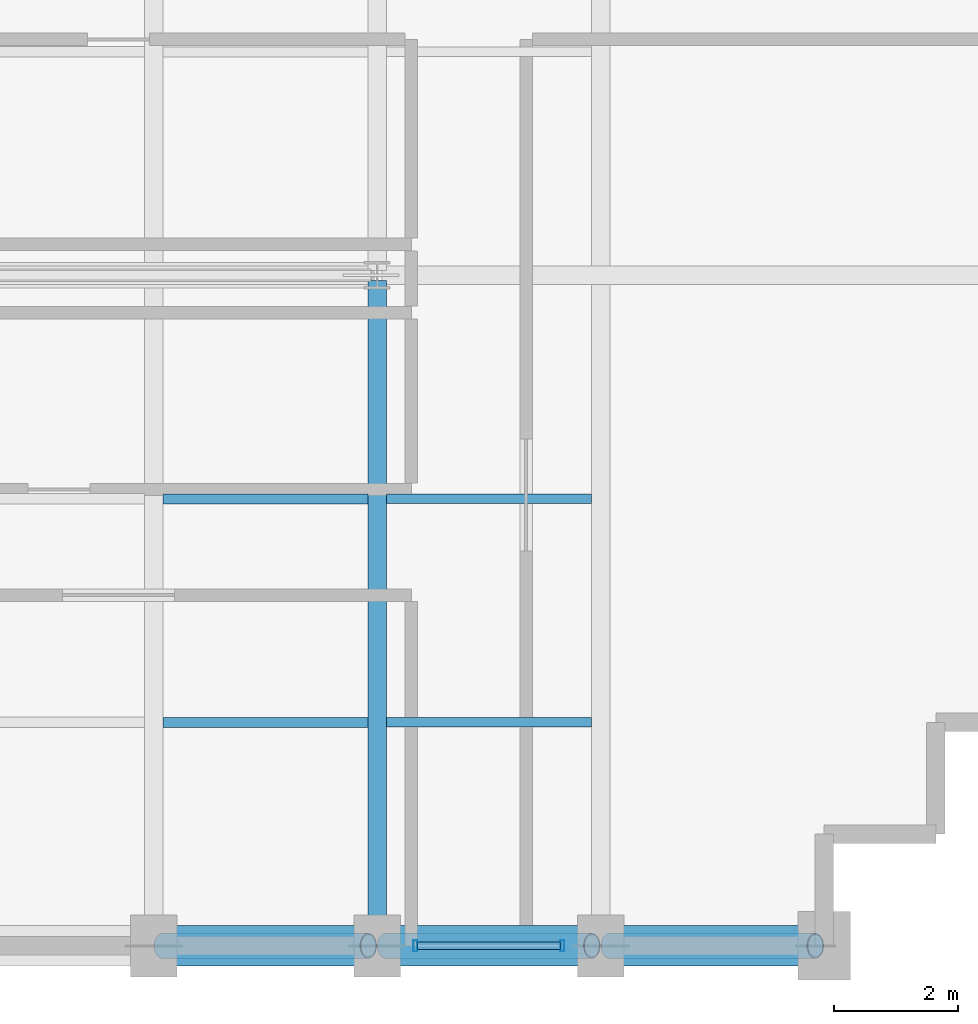
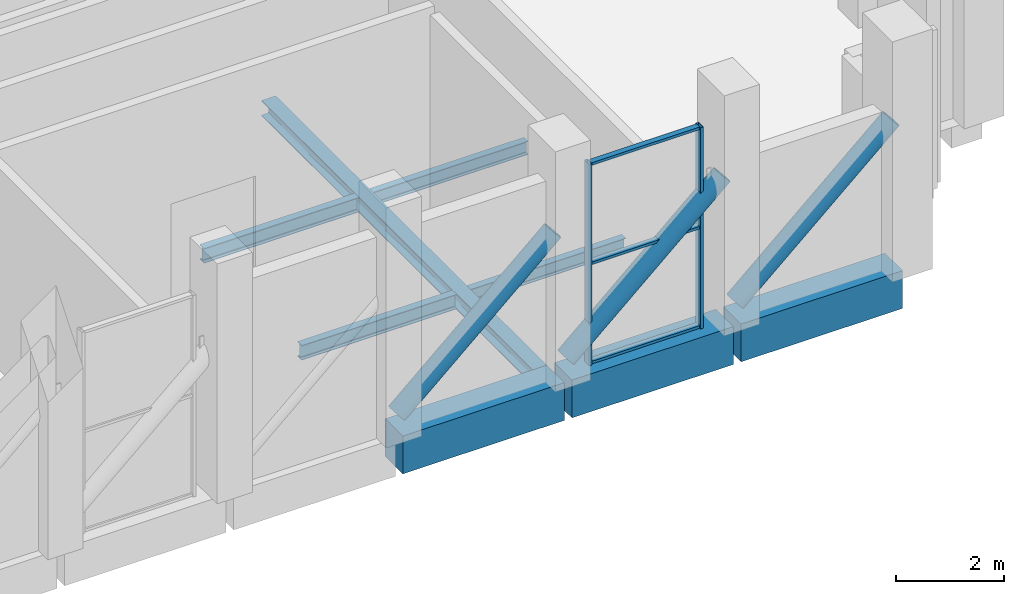
# One storey, part 8 of 19: 8 beams, 8 members, 1 element without a shape of its own.
"""IFC4 building model written with IfcOpenShell, lengths in metres."""

from ifc_helpers import new_model, si_unit, direction, frame, origin, origin_2d, place, context, subcontext, project, spatial, rectangle, hollow_rectangle, hollow_circle, i_section, extrude, material, layer, layer_set, material_profile, profile_set, type_object, element, aggregate, save


model = new_model("IFC4")

# Units and contexts
model_context = context("Model", 3, precision=1e-05, world=origin(), true_north=direction((0.0, 1.0)))
body_context = subcontext(model_context, "Body", "Model", "MODEL_VIEW")
ifc_project = project(units=[si_unit("LENGTHUNIT", "METRE"), si_unit("AREAUNIT", "SQUARE_METRE"), si_unit("VOLUMEUNIT", "CUBIC_METRE"), si_unit("PLANEANGLEUNIT", "RADIAN"), si_unit("MASSUNIT", "GRAM", prefix="KILO")], contexts=[model_context])

# Site, building, storey
site_placement = place(None, origin())
site = spatial("IfcSite", under=ifc_project, at=site_placement, CompositionType="ELEMENT")
building_placement = place(site_placement, origin())
building = spatial("IfcBuilding", under=site, at=building_placement, Name="Solnavia Interchange Tower", CompositionType="ELEMENT")
storey_placement = place(building_placement, frame((0.0, 0.0, 169.39990234375)))
storey = spatial("IfcBuildingStorey", under=building, at=storey_placement, Name="L42", CompositionType="ELEMENT", Elevation=169.39990234375)

# Beams
ifc_material_1 = material(Name="Steel S355", Category="steel")
ifc_material_profile_1 = material_profile(ifc_material_1, i_section(OverallWidth=0.14990234375, OverallDepth=0.300048828125, WebThickness=0.007080078125, FlangeThickness=0.0107421875, FilletRadius=0.014892578125, at=origin_2d()), Name="IPE 300")
ifc_profile_set_1 = profile_set([ifc_material_profile_1], Name="Steel S355")
beam_type_1 = type_object("IfcBeamType", Name="Beam-Joist-IPE300", PredefinedType="JOIST", material=ifc_profile_set_1)
for number, where, z_axis, x_axis, name in (
    (1, (43.35009765625, 7.199951171875, -0.469970703125), (1.0, 0.0, 0.0), (0.0, 1.0, 0.0), "JST-L42-E03 East wing secondary joist"),
    (2, (43.35009765625, 10.800048828125, -0.469970703125), (1.0, 0.0, 0.0), (0.0, 1.0, 0.0), "JST-L42-E06 East wing secondary joist"),
):
    element("IfcBeam", number, at=place(storey_placement, frame(where, z_axis=z_axis, x_axis=x_axis)), inside=storey, type_object=beam_type_1, Name=name, PredefinedType="JOIST", context=body_context, shape_type="SweptSolid", body=[
        extrude(i_section(OverallWidth=0.14990234375, OverallDepth=0.300048828125, WebThickness=0.007080078125, FlangeThickness=0.0107421875, FilletRadius=0.014892578125, at=origin_2d()), origin(), (0.0, 0.0, 1.0), 3.2998046875),
    ])
ifc_material_profile_2 = material_profile(ifc_material_1, i_section(OverallWidth=0.159912109375, OverallDepth=0.330078125, WebThickness=0.007568359375, FlangeThickness=0.011474609375, FilletRadius=0.01806640625, at=origin_2d()), Name="IPE 330")
ifc_profile_set_2 = profile_set([ifc_material_profile_2], Name="Steel S355")
beam_type_2 = type_object("IfcBeamType", Name="Beam-Joist-IPE330", PredefinedType="JOIST", material=ifc_profile_set_2)
for number, where, z_axis, x_axis, name in (
    (3, (39.75, 7.199951171875, -0.48486328125), (1.0, 0.0, 0.0), (0.0, 1.0, 0.0), "JST-L42-E02 East wing secondary joist"),
    (4, (39.75, 10.800048828125, -0.48486328125), (1.0, 0.0, 0.0), (0.0, 1.0, 0.0), "JST-L42-E05 East wing secondary joist"),
):
    element("IfcBeam", number, at=place(storey_placement, frame(where, z_axis=z_axis, x_axis=x_axis)), inside=storey, type_object=beam_type_2, Name=name, PredefinedType="JOIST", context=body_context, shape_type="SweptSolid", body=[
        extrude(i_section(OverallWidth=0.159912109375, OverallDepth=0.330078125, WebThickness=0.007568359375, FlangeThickness=0.011474609375, FilletRadius=0.01806640625, at=origin_2d()), origin(), (0.0, 0.0, 1.0), 3.300048828125),
    ])
ifc_material_profile_3 = material_profile(ifc_material_1, i_section(OverallWidth=0.300048828125, OverallDepth=0.35009765625, WebThickness=0.010009765625, FlangeThickness=0.017578125, FilletRadius=0.027099609375, at=origin_2d()), Name="HEA 360")
ifc_profile_set_3 = profile_set([ifc_material_profile_3], Name="Steel S355")
beam_type_3 = type_object("IfcBeamType", Name="Beam-Primary-HEA360", PredefinedType="BEAM", material=ifc_profile_set_3)
beam_1_placement = place(storey_placement, frame((43.199951171875, 3.679931640625, -0.494873046875), z_axis=(0.0, 1.0, 0.0), x_axis=(-1.0, 0.0, 0.0)))
element("IfcBeam", 5, at=beam_1_placement, inside=storey, type_object=beam_type_3, Name="GRD-L42-EW05 East wing primary floor girder", PredefinedType="BEAM", context=body_context, shape_type="SweptSolid", body=[
    extrude(i_section(OverallWidth=0.300048828125, OverallDepth=0.35009765625, WebThickness=0.010009765625, FlangeThickness=0.017578125, FilletRadius=0.027099609375, at=origin_2d()), origin(), (0.0, 0.0, 1.0), 10.64013671875),
])
ifc_material_2 = material(Name="Concrete C50/60", Category="concrete")
ifc_material_profile_4 = material_profile(ifc_material_2, rectangle(XDim=0.64990234375, YDim=0.85009765625, at=origin_2d()), Name="RC 650x850")
ifc_profile_set_4 = profile_set([ifc_material_profile_4], Name="Concrete C50/60")
beam_type_4 = type_object("IfcBeamType", Name="Beam-Spandrel-RC650x850", PredefinedType="SPANDREL", material=ifc_profile_set_4)
beam_2_placement = place(storey_placement, frame((39.679931640625, 3.60009765625, -0.4248046875), z_axis=(1.0, 0.0, 0.0), x_axis=(0.0, 1.0, 0.0)))
element("IfcBeam", 6, at=beam_2_placement, inside=storey, type_object=beam_type_4, Name="SPB-L42-13 Framed-tube perimeter spandrel beam", PredefinedType="SPANDREL", context=body_context, shape_type="SweptSolid", body=[
    extrude(rectangle(XDim=0.64990234375, YDim=0.85009765625, at=origin_2d()), origin(), (0.0, 0.0, 1.0), 3.440185546875),
])
beam_3_placement = place(storey_placement, frame((43.280029296875, 3.60009765625, -0.4248046875), z_axis=(1.0, 0.0, 0.0), x_axis=(0.0, 1.0, 0.0)))
element("IfcBeam", 7, at=beam_3_placement, inside=storey, type_object=beam_type_4, Name="SPB-L42-14 Framed-tube perimeter spandrel beam", PredefinedType="SPANDREL", context=body_context, shape_type="SweptSolid", body=[
    extrude(rectangle(XDim=0.64990234375, YDim=0.85009765625, at=origin_2d()), origin(), (0.0, 0.0, 1.0), 3.43994140625),
])
beam_4_placement = place(storey_placement, frame((46.8798828125, 3.60009765625, -0.4248046875), z_axis=(1.0, 0.0, 0.0), x_axis=(0.0, 1.0, 0.0)))
element("IfcBeam", 8, at=beam_4_placement, inside=storey, type_object=beam_type_4, Name="SPB-L42-15 Framed-tube perimeter spandrel beam", PredefinedType="SPANDREL", context=body_context, shape_type="SweptSolid", body=[
    extrude(rectangle(XDim=0.64990234375, YDim=0.85009765625, at=origin_2d()), origin(), (0.0, 0.0, 1.0), 3.440185546875),
])

# Curtain wall, members
ifc_material_3 = material(Name="Aluminium Alloy 6063-T6", Category="aluminium")
ifc_layer = layer(ifc_material_3, 0.199951171875)
ifc_layer_set = layer_set([ifc_layer], Name="Aluminium Alloy 6063-T6")
curtain_wall_type = type_object("IfcCurtainWallType", Name="CurtainWall-Louvre-CTW5", PredefinedType="NOTDEFINED", material=ifc_layer_set)
curtain_wall_placement = place(storey_placement, origin())
curtain_wall = element("IfcCurtainWall", 9, at=curtain_wall_placement, inside=storey, type_object=curtain_wall_type, Name="CTW-L42-L06 CTW-5 curtain wall", PredefinedType="NOTDEFINED")
ifc_material_profile_5 = material_profile(ifc_material_3, hollow_rectangle(XDim=0.06494140625, YDim=0.179931640625, WallThickness=0.00439453125, at=origin_2d()), Name="ALU 180x65x4.5")
ifc_profile_set_5 = profile_set([ifc_material_profile_5], Name="Aluminium Alloy 6063-T6")
member_type_1 = type_object("IfcMemberType", Name="CW-Mullion-CWM-5", PredefinedType="MULLION", material=ifc_profile_set_5)
member_1_placement = place(storey_placement, frame((43.81494140625, 3.60009765625, 0.0), z_axis=(0.0, 0.0, 1.0), x_axis=(1.0, 0.0, 0.0)))
member_1 = element("IfcMember", 10, at=member_1_placement, type_object=member_type_1, Name="CTW-5 mullion 1", PredefinedType="MULLION", context=body_context, shape_type="SweptSolid", body=[
    extrude(hollow_rectangle(XDim=0.06494140625, YDim=0.179931640625, WallThickness=0.00439453125, at=origin_2d()), origin(), (0.0, 0.0, 1.0), 4.530029296875),
])
member_2_placement = place(storey_placement, frame((46.18505859375, 3.60009765625, 0.0), z_axis=(0.0, 0.0, 1.0), x_axis=(1.0, 0.0, 0.0)))
member_2 = element("IfcMember", 11, at=member_2_placement, type_object=member_type_1, Name="CTW-5 mullion 2", PredefinedType="MULLION", context=body_context, shape_type="SweptSolid", body=[
    extrude(hollow_rectangle(XDim=0.06494140625, YDim=0.179931640625, WallThickness=0.00439453125, at=origin_2d()), origin(), (0.0, 0.0, 1.0), 4.530029296875),
])
ifc_material_profile_6 = material_profile(ifc_material_3, hollow_rectangle(XDim=0.06005859375, YDim=0.1201171875, WallThickness=0.00390625, at=origin_2d()), Name="ALU 120x60x4")
ifc_profile_set_6 = profile_set([ifc_material_profile_6], Name="Aluminium Alloy 6063-T6")
member_type_2 = type_object("IfcMemberType", Name="CW-Transom-CWT-5", PredefinedType="USERDEFINED", material=ifc_profile_set_6)
member_3_placement = place(storey_placement, frame((43.847412109375, 3.60009765625, 0.030029296875), z_axis=(1.0, 0.0, 0.0), x_axis=(0.0, 0.0, 1.0)))
member_3 = element("IfcMember", 12, at=member_3_placement, type_object=member_type_2, Name="CTW-5 transom 1.1", ObjectType="TRANSOM", PredefinedType="USERDEFINED", context=body_context, shape_type="SweptSolid", body=[
    extrude(hollow_rectangle(XDim=0.06005859375, YDim=0.1201171875, WallThickness=0.00390625, at=origin_2d()), origin(), (0.0, 0.0, 1.0), 2.30517578125),
])
member_4_placement = place(storey_placement, frame((43.847412109375, 3.60009765625, 2.26513671875), z_axis=(1.0, 0.0, 0.0), x_axis=(0.0, 0.0, 1.0)))
member_4 = element("IfcMember", 13, at=member_4_placement, type_object=member_type_2, Name="CTW-5 transom 1.2", ObjectType="TRANSOM", PredefinedType="USERDEFINED", context=body_context, shape_type="SweptSolid", body=[
    extrude(hollow_rectangle(XDim=0.06005859375, YDim=0.1201171875, WallThickness=0.00390625, at=origin_2d()), origin(), (0.0, 0.0, 1.0), 2.30517578125),
])
member_5_placement = place(storey_placement, frame((43.847412109375, 3.60009765625, 4.5), z_axis=(1.0, 0.0, 0.0), x_axis=(0.0, 0.0, 1.0)))
member_5 = element("IfcMember", 14, at=member_5_placement, type_object=member_type_2, Name="CTW-5 transom 1.3", ObjectType="TRANSOM", PredefinedType="USERDEFINED", context=body_context, shape_type="SweptSolid", body=[
    extrude(hollow_rectangle(XDim=0.06005859375, YDim=0.1201171875, WallThickness=0.00390625, at=origin_2d()), origin(), (0.0, 0.0, 1.0), 2.30517578125),
])
aggregate(curtain_wall, [member_1, member_2, member_3, member_4, member_5])

# Members
ifc_material_4 = material(Name="Steel S460", Category="steel")
ifc_material_profile_7 = material_profile(ifc_material_4, hollow_circle(Radius=0.203125, WallThickness=0.02001953125, at=origin_2d()), Name="CHS 406.4x20")
ifc_profile_set_7 = profile_set([ifc_material_profile_7], Name="Steel S460")
member_type_3 = type_object("IfcMemberType", Name="Outrigger-Diag-CHS406", PredefinedType="BRACE", material=ifc_profile_set_7)
member_6_placement = place(storey_placement, frame((39.739990234375, 3.60009765625, 0.300048828125), z_axis=(0.747545781752, 0.0, 0.664210286118), x_axis=(0.0, 1.0, 0.0)))
element("IfcMember", 15, at=member_6_placement, inside=storey, type_object=member_type_3, Name="OTR-L42-BT04 Belt truss diagonal", PredefinedType="BRACE", context=body_context, shape_type="SweptSolid", body=[
    extrude(hollow_circle(Radius=0.203125, WallThickness=0.02001953125, at=origin_2d()), origin(), (0.0, 0.0, 1.0), 4.44140625),
])
member_7_placement = place(storey_placement, frame((43.340087890625, 3.60009765625, 0.300048828125), z_axis=(0.747521528567, 0.0, 0.664237581238), x_axis=(0.0, 1.0, 0.0)))
element("IfcMember", 16, at=member_7_placement, inside=storey, type_object=member_type_3, Name="OTR-L42-BT05 Belt truss diagonal", PredefinedType="BRACE", context=body_context, shape_type="SweptSolid", body=[
    extrude(hollow_circle(Radius=0.203125, WallThickness=0.02001953125, at=origin_2d()), origin(), (0.0, 0.0, 1.0), 4.441162109375),
])
member_8_placement = place(storey_placement, frame((46.93994140625, 3.60009765625, 0.300048828125), z_axis=(0.747545781752, 0.0, 0.664210286118), x_axis=(0.0, 1.0, 0.0)))
element("IfcMember", 17, at=member_8_placement, inside=storey, type_object=member_type_3, Name="OTR-L42-BT06 Belt truss diagonal", PredefinedType="BRACE", context=body_context, shape_type="SweptSolid", body=[
    extrude(hollow_circle(Radius=0.203125, WallThickness=0.02001953125, at=origin_2d()), origin(), (0.0, 0.0, 1.0), 4.44140625),
])

save(model, "model.ifc")
